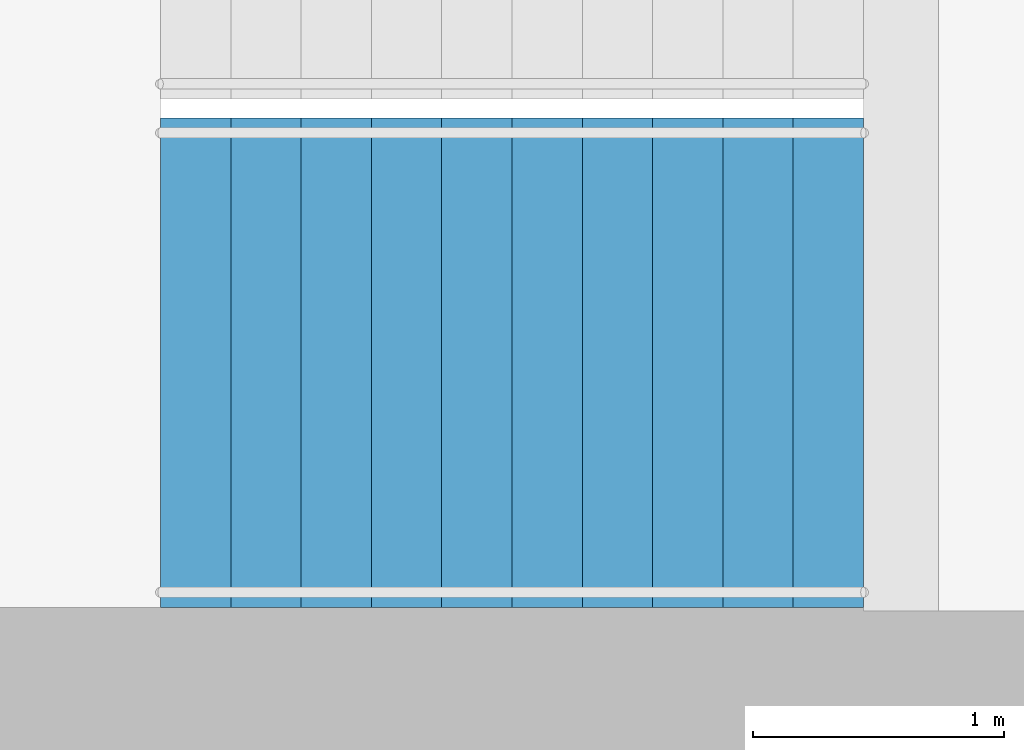
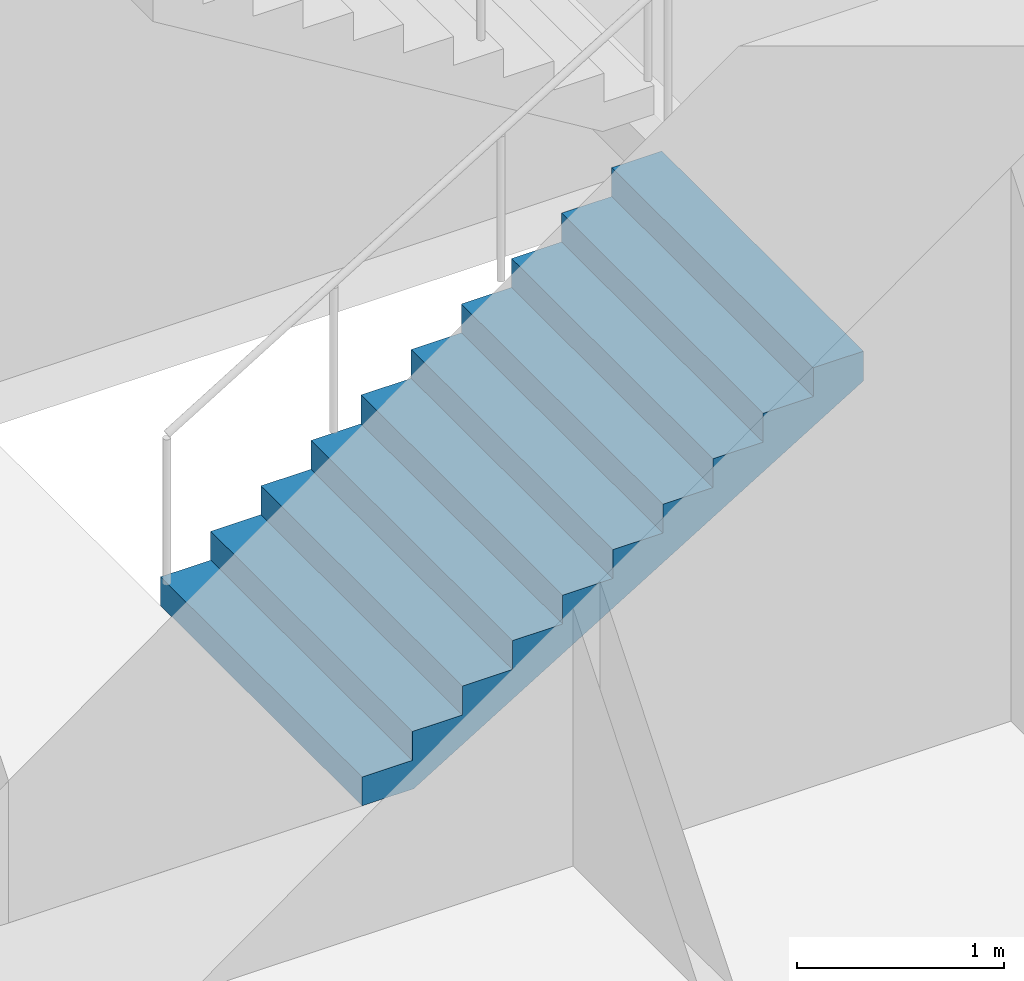
# One storey, part 18 of 22: 1 stair flight, 1 element without a shape of its own.
"""IFC4 building model written with IfcOpenShell, lengths in metres."""

import ifcopenshell
import ifcopenshell.guid

model = None  # the IFC model being written
_history = None  # IfcOwnerHistory: only IFC2X3 demands one
_inside = {}  # id of a spatial element -> (the spatial element, [elements in it])
_under = {}  # id of a project, library or spatial element -> (it, [spatial elements below it])
_declared = {}  # id of a project -> (the project, [libraries it declares])
_typed = {}  # id of a type object -> (the type object, [elements of that type])
_made_of = {}  # id of a material, layer set ... -> (it, [elements and type objects made of it])


def new_model(schema):
    """Start an empty IFC model of exactly this schema.

    Asked for "IFC4X3", IfcOpenShell would pick the latest addendum, in which some entities
    have other attributes; the version numbers below select the first issue.
    IFC2X3 requires an IfcOwnerHistory on every rooted entity: one is made here for all.
    """
    global model, _history
    if schema == "IFC4X3":
        model = ifcopenshell.file(schema_version=(4, 3, 0, 0))
    else:
        model = ifcopenshell.file(schema=schema)
    _inside.clear()
    _under.clear()
    _declared.clear()
    _typed.clear()
    _made_of.clear()
    _history = None
    if model.schema == "IFC2X3":
        org = make("IfcOrganization", Name="unknown")
        user = make(
            "IfcPersonAndOrganization",
            ThePerson=make("IfcPerson", FamilyName="unknown"),
            TheOrganization=org,
        )
        app = make(
            "IfcApplication",
            ApplicationDeveloper=org,
            Version="unknown",
            ApplicationFullName="unknown",
            ApplicationIdentifier="unknown",
        )
        _history = make(
            "IfcOwnerHistory",
            OwningUser=user,
            OwningApplication=app,
            ChangeAction="ADDED",
            CreationDate=0,
        )
    return model


def make(cls, **values):
    """One entity of the class cls with the attributes given. An attribute that is None is left unset."""
    return model.create_entity(
        cls, **{name: value for name, value in values.items() if value is not None}
    )


def rooted(cls, **values):
    """An entity with a GlobalId (a new one), such as an element, a storey or a relation."""
    return make(cls, GlobalId=ifcopenshell.guid.new(), OwnerHistory=_history, **values)


def si_unit(unit_type, name, prefix=None):
    """IfcSIUnit, for example si_unit("LENGTHUNIT", "METRE", prefix="MILLI")."""
    return make("IfcSIUnit", UnitType=unit_type, Prefix=prefix, Name=name)


def assignment(units):
    """IfcUnitAssignment: the units of a project."""
    return None if units is None else make("IfcUnitAssignment", Units=units)


def point(xyz):
    """IfcCartesianPoint."""
    return None if xyz is None else make("IfcCartesianPoint", Coordinates=xyz)


def direction(xyz):
    """IfcDirection."""
    return None if xyz is None else make("IfcDirection", DirectionRatios=xyz)


def frame(location, z_axis=None, x_axis=None):
    """IfcAxis2Placement3D, a coordinate frame: its origin and axes. An axis left out is left unset."""
    return make(
        "IfcAxis2Placement3D",
        Location=point(location),
        Axis=direction(z_axis),
        RefDirection=direction(x_axis),
    )


def origin():
    """The frame at (0, 0, 0) with its axes left unset."""
    return frame((0.0, 0.0, 0.0))


def place(relative_to, where):
    """IfcLocalPlacement: puts the frame where relative to a parent placement (None: the world)."""
    return make(
        "IfcLocalPlacement", PlacementRelTo=relative_to, RelativePlacement=where
    )


def context(
    kind, dimensions, precision=None, world=None, true_north=None, identifier=None
):
    """IfcGeometricRepresentationContext, for example the 3D "Model" context."""
    return make(
        "IfcGeometricRepresentationContext",
        ContextIdentifier=identifier,
        ContextType=kind,
        CoordinateSpaceDimension=dimensions,
        Precision=precision,
        WorldCoordinateSystem=world,
        TrueNorth=true_north,
    )


def subcontext(parent, identifier, kind, view, scale=None):
    """IfcGeometricRepresentationSubContext, for example "Body" below "Model"."""
    return make(
        "IfcGeometricRepresentationSubContext",
        ContextIdentifier=identifier,
        ContextType=kind,
        ParentContext=parent,
        TargetScale=scale,
        TargetView=view,
    )


def project(units=None, contexts=None):
    """IfcProject with its units and contexts."""
    return rooted(
        "IfcProject",
        Name="project",
        RepresentationContexts=contexts,
        UnitsInContext=assignment(units),
    )


def spatial(cls, under=None, at=None, **own):
    """A site, building, storey or space (cls), placed at a placement, below another one or the project."""
    s = rooted(cls, ObjectPlacement=at, **own)
    if under is not None:
        _under.setdefault(under.id(), (under, []))[1].append(s)
    return s


def point_list(points):
    """IfcCartesianPointList2D or 3D."""
    cls = (
        "IfcCartesianPointList2D" if len(points[0]) == 2 else "IfcCartesianPointList3D"
    )
    return make(cls, CoordList=points)


def triangles(points, corners, closed=None, point_numbers=None):
    """IfcTriangulatedFaceSet: each triangle names its three corners, points numbered from 1."""
    return make(
        "IfcTriangulatedFaceSet",
        Coordinates=point_list(points),
        Closed=closed,
        CoordIndex=corners,
        PnIndex=point_numbers,
    )


def shape(context_of_items, identifier, shape_type, items):
    """IfcShapeRepresentation: the items that make up one representation, for example the "Body"."""
    return make(
        "IfcShapeRepresentation",
        ContextOfItems=context_of_items,
        RepresentationIdentifier=identifier,
        RepresentationType=shape_type,
        Items=items,
    )


def material(Name=None, Category=None):
    """IfcMaterial."""
    return make("IfcMaterial", Name=Name, Category=Category)


def made_of(thing, what):
    """Note that an element or type object is made of a material, layer set ...; save() writes the relation."""
    if what is not None:
        _made_of.setdefault(what.id(), (what, []))[1].append(thing)
    return thing


def type_object(cls, material=None, **own):
    """A type object (cls), such as IfcWallType, which elements share."""
    return made_of(rooted(cls, **own), material)


def element(
    cls,
    number,
    at=None,
    inside=None,
    cuts=None,
    type_object=None,
    material=None,
    context=None,
    identifier="Body",
    shape_type=None,
    held_by="IfcProductDefinitionShape",
    body=None,
    shapes=None,
    **own,
):
    """One element of the class cls, such as IfcWall. Its Tag is "e" and its number.

    at: its placement. inside: the storey or other place that contains it. cuts: it is an
    opening in that element (IfcRelVoidsElement). A single representation is given by context,
    identifier, shape_type and body (its items); several are given by shapes. held_by: the class
    of the entity that holds the representations. save() writes the other relations.
    """
    e = rooted(cls, Tag="e%d" % number, ObjectPlacement=at, **own)
    if body is not None:
        shapes = [shape(context, identifier, shape_type, body)]
    if shapes is not None:
        e.Representation = make(held_by, Representations=shapes)
    if inside is not None:
        _inside.setdefault(inside.id(), (inside, []))[1].append(e)
    if cuts is not None:
        rooted(
            "IfcRelVoidsElement", RelatingBuildingElement=cuts, RelatedOpeningElement=e
        )
    if type_object is not None:
        _typed.setdefault(type_object.id(), (type_object, []))[1].append(e)
    return made_of(e, material)


def aggregate(whole, parts):
    """IfcRelAggregates: a whole, such as a stair, and the parts it consists of."""
    return rooted("IfcRelAggregates", RelatingObject=whole, RelatedObjects=parts)


def save(model, path):
    """Write the relations noted so far, then the file.

    IfcRelAggregates (storeys below a building ...), IfcRelContainedInSpatialStructure (elements
    in a storey), IfcRelDefinesByType, IfcRelAssociatesMaterial and IfcRelDeclares: one each for
    every whole, place, type object, material and project.
    """
    for whole, parts in _under.values():
        aggregate(whole, parts)
    for where, things in _inside.values():
        rooted(
            "IfcRelContainedInSpatialStructure",
            RelatedElements=things,
            RelatingStructure=where,
        )
    for kind, things in _typed.values():
        rooted("IfcRelDefinesByType", RelatedObjects=things, RelatingType=kind)
    for what, things in _made_of.values():
        rooted("IfcRelAssociatesMaterial", RelatedObjects=things, RelatingMaterial=what)
    for by, libraries in _declared.values():
        rooted("IfcRelDeclares", RelatingContext=by, RelatedDefinitions=libraries)
    model.write(path)


model = new_model("IFC4")

# Units and contexts
model_context = context("Model", 3, precision=1e-05, world=origin(), true_north=direction((0.0, 1.0)))
body_context = subcontext(model_context, "Body", "Model", "MODEL_VIEW")
ifc_project = project(units=[si_unit("LENGTHUNIT", "METRE"), si_unit("AREAUNIT", "SQUARE_METRE"), si_unit("VOLUMEUNIT", "CUBIC_METRE"), si_unit("PLANEANGLEUNIT", "RADIAN"), si_unit("MASSUNIT", "GRAM", prefix="KILO")], contexts=[model_context])

# Site, building, storey
site_placement = place(None, origin())
site = spatial("IfcSite", under=ifc_project, at=site_placement, CompositionType="ELEMENT")
building_placement = place(site_placement, origin())
building = spatial("IfcBuilding", under=site, at=building_placement, Name="Orbita Commons", CompositionType="ELEMENT")
storey_placement = place(building_placement, frame((0.0, 0.0, 118.14990234375)))
storey = spatial("IfcBuildingStorey", under=building, at=storey_placement, Name="L29", CompositionType="ELEMENT", Elevation=118.14990234375)

# Stair, stair flight
ifc_material_1 = material(Name="Precast concrete C40/50", Category="concrete")
stair_type = type_object("IfcStairType", Name="Exit stair S1 2 flights 11 risers 170", PredefinedType="HALF_TURN_STAIR", material=ifc_material_1)
stair_placement = place(storey_placement, origin())
stair = element("IfcStair", 1, at=stair_placement, inside=storey, type_object=stair_type, Name="Exit stair S1 L29", PredefinedType="HALF_TURN_STAIR")
ifc_material_2 = material(Name="Precast concrete C40/50", Category="concrete")
stair_flight_type = type_object("IfcStairFlightType", Name="Stair flight 11 risers 170 x 280", PredefinedType="STRAIGHT", material=ifc_material_2)
stair_flight_placement = place(storey_placement, frame((20.449951171875, 27.25, 0.0), z_axis=(0.0, 0.0, 1.0), x_axis=(1.0, 0.0, 0.0)))
stair_flight = element("IfcStairFlight", 2, at=stair_flight_placement, type_object=stair_flight_type, Name="S1 flight 1", NumberOfRisers=11, NumberOfTreads=10, PredefinedType="STRAIGHT", RiserHeight=0.170454545, TreadLength=0.28, context=body_context, shape_type="Tessellation", body=[
    triangles([(0.0, 0.974976, 0.0), (0.0, 0.974976, 0.021307), (0.0, 0.81248, 0.021307), (0.0, 0.81248, 0.0), (0.0, 0.649984, 0.021307), (0.0, 0.649984, 0.0), (0.0, 0.487488, 0.021307), (0.0, 0.487488, 0.0), (0.0, 0.324992, 0.021307), (0.0, 0.324992, 0.0), (0.0, 0.162496, 0.021307), (0.0, 0.162496, 0.0), (0.0, 0.0, 0.021307), (0.0, 0.0, 0.0), (0.0, -0.162496, 0.021307), (0.0, -0.162496, 0.0), (0.0, -0.324992, 0.021307), (0.0, -0.324992, 0.0), (0.0, -0.487488, 0.021307), (0.0, -0.487488, 0.0), (0.0, -0.649984, 0.021307), (0.0, -0.649984, 0.0), (0.0, -0.81248, 0.021307), (0.0, -0.81248, 0.0), (0.0, -0.974976, 0.021307), (0.0, -0.974976, 0.0), (0.0, 0.974976, 0.042614), (0.0, 0.81248, 0.042614), (0.0, 0.649984, 0.042614), (0.0, 0.487488, 0.042614), (0.0, 0.324992, 0.042614), (0.0, 0.162496, 0.042614), (0.0, 0.0, 0.042614), (0.0, -0.162496, 0.042614), (0.0, -0.324992, 0.042614), (0.0, -0.487488, 0.042614), (0.0, -0.649984, 0.042614), (0.0, -0.81248, 0.042614), (0.0, -0.974976, 0.042614), (0.0, 0.974976, 0.06392), (0.0, 0.81248, 0.06392), (0.0, 0.649984, 0.06392), (0.0, 0.487488, 0.06392), (0.0, 0.324992, 0.06392), (0.0, 0.162496, 0.06392), (0.0, 0.0, 0.06392), (0.0, -0.162496, 0.06392), (0.0, -0.324992, 0.06392), (0.0, -0.487488, 0.06392), (0.0, -0.649984, 0.06392), (0.0, -0.81248, 0.06392), (0.0, -0.974976, 0.06392), (0.0, 0.974976, 0.085227), (0.0, 0.81248, 0.085227), (0.0, 0.649984, 0.085227), (0.0, 0.487488, 0.085227), (0.0, 0.324992, 0.085227), (0.0, 0.162496, 0.085227), (0.0, 0.0, 0.085227), (0.0, -0.162496, 0.085227), (0.0, -0.324992, 0.085227), (0.0, -0.487488, 0.085227), (0.0, -0.649984, 0.085227), (0.0, -0.81248, 0.085227), (0.0, -0.974976, 0.085227), (0.0, 0.974976, 0.106534), (0.0, 0.81248, 0.106534), (0.0, 0.649984, 0.106534), (0.0, 0.487488, 0.106534), (0.0, 0.324992, 0.106534), (0.0, 0.162496, 0.106534), (0.0, 0.0, 0.106534), (0.0, -0.162496, 0.106534), (0.0, -0.324992, 0.106534), (0.0, -0.487488, 0.106534), (0.0, -0.649984, 0.106534), (0.0, -0.81248, 0.106534), (0.0, -0.974976, 0.106534), (0.0, 0.974976, 0.127841), (0.0, 0.81248, 0.127841), (0.0, 0.649984, 0.127841), (0.0, 0.487488, 0.127841), (0.0, 0.324992, 0.127841), (0.0, 0.162496, 0.127841), (0.0, 0.0, 0.127841), (0.0, -0.162496, 0.127841), (0.0, -0.324992, 0.127841), (0.0, -0.487488, 0.127841), (0.0, -0.649984, 0.127841), (0.0, -0.81248, 0.127841), (0.0, -0.974976, 0.127841), (0.0, 0.974976, 0.149148), (0.0, 0.81248, 0.149148), (0.0, 0.649984, 0.149148), (0.0, 0.487488, 0.149148), (0.0, 0.324992, 0.149148), (0.0, 0.162496, 0.149148), (0.0, 0.0, 0.149148), (0.0, -0.162496, 0.149148), (0.0, -0.324992, 0.149148), (0.0, -0.487488, 0.149148), (0.0, -0.649984, 0.149148), (0.0, -0.81248, 0.149148), (0.0, -0.974976, 0.149148), (0.0, 0.974976, 0.170455), (0.0, 0.81248, 0.170455), (0.0, 0.649984, 0.170455), (0.0, 0.487488, 0.170455), (0.0, 0.324992, 0.170455), (0.0, 0.162496, 0.170455), (0.0, 0.0, 0.170455), (0.0, -0.162496, 0.170455), (0.0, -0.324992, 0.170455), (0.0, -0.487488, 0.170455), (0.0, -0.649984, 0.170455), (0.0, -0.81248, 0.170455), (0.0, -0.974976, 0.170455), (0.28, 0.974976, 0.170455), (0.28, 0.81248, 0.170455), (0.28, 0.649984, 0.170455), (0.28, 0.487488, 0.170455), (0.28, 0.324992, 0.170455), (0.28, 0.162496, 0.170455), (0.28, 0.0, 0.170455), (0.28, -0.162496, 0.170455), (0.28, -0.324992, 0.170455), (0.28, -0.487488, 0.170455), (0.28, -0.649984, 0.170455), (0.28, -0.81248, 0.170455), (0.28, -0.974976, 0.170455), (0.28, 0.974976, 0.340909), (0.28, 0.81248, 0.340909), (0.28, 0.649984, 0.340909), (0.28, 0.487488, 0.340909), (0.28, 0.324992, 0.340909), (0.28, 0.162496, 0.340909), (0.28, 0.0, 0.340909), (0.28, -0.162496, 0.340909), (0.28, -0.324992, 0.340909), (0.28, -0.487488, 0.340909), (0.28, -0.649984, 0.340909), (0.28, -0.81248, 0.340909), (0.28, -0.974976, 0.340909), (0.56, 0.974976, 0.340909), (0.56, 0.81248, 0.340909), (0.56, 0.649984, 0.340909), (0.56, 0.487488, 0.340909), (0.56, 0.324992, 0.340909), (0.56, 0.162496, 0.340909), (0.56, 0.0, 0.340909), (0.56, -0.162496, 0.340909), (0.56, -0.324992, 0.340909), (0.56, -0.487488, 0.340909), (0.56, -0.649984, 0.340909), (0.56, -0.81248, 0.340909), (0.56, -0.974976, 0.340909), (0.56, 0.974976, 0.511364), (0.56, 0.81248, 0.511364), (0.56, 0.649984, 0.511364), (0.56, 0.487488, 0.511364), (0.56, 0.324992, 0.511364), (0.56, 0.162496, 0.511364), (0.56, 0.0, 0.511364), (0.56, -0.162496, 0.511364), (0.56, -0.324992, 0.511364), (0.56, -0.487488, 0.511364), (0.56, -0.649984, 0.511364), (0.56, -0.81248, 0.511364), (0.56, -0.974976, 0.511364), (0.84, 0.974976, 0.511364), (0.84, 0.81248, 0.511364), (0.84, 0.649984, 0.511364), (0.84, 0.487488, 0.511364), (0.84, 0.324992, 0.511364), (0.84, 0.162496, 0.511364), (0.84, 0.0, 0.511364), (0.84, -0.162496, 0.511364), (0.84, -0.324992, 0.511364), (0.84, -0.487488, 0.511364), (0.84, -0.649984, 0.511364), (0.84, -0.81248, 0.511364), (0.84, -0.974976, 0.511364), (0.84, 0.974976, 0.681818), (0.84, 0.81248, 0.681818), (0.84, 0.649984, 0.681818), (0.84, 0.487488, 0.681818), (0.84, 0.324992, 0.681818), (0.84, 0.162496, 0.681818), (0.84, 0.0, 0.681818), (0.84, -0.162496, 0.681818), (0.84, -0.324992, 0.681818), (0.84, -0.487488, 0.681818), (0.84, -0.649984, 0.681818), (0.84, -0.81248, 0.681818), (0.84, -0.974976, 0.681818), (1.12, 0.974976, 0.681818), (1.12, 0.81248, 0.681818), (1.12, 0.649984, 0.681818), (1.12, 0.487488, 0.681818), (1.12, 0.324992, 0.681818), (1.12, 0.162496, 0.681818), (1.12, 0.0, 0.681818), (1.12, -0.162496, 0.681818), (1.12, -0.324992, 0.681818), (1.12, -0.487488, 0.681818), (1.12, -0.649984, 0.681818), (1.12, -0.81248, 0.681818), (1.12, -0.974976, 0.681818), (1.12, 0.974976, 0.852273), (1.12, 0.81248, 0.852273), (1.12, 0.649984, 0.852273), (1.12, 0.487488, 0.852273), (1.12, 0.324992, 0.852273), (1.12, 0.162496, 0.852273), (1.12, 0.0, 0.852273), (1.12, -0.162496, 0.852273), (1.12, -0.324992, 0.852273), (1.12, -0.487488, 0.852273), (1.12, -0.649984, 0.852273), (1.12, -0.81248, 0.852273), (1.12, -0.974976, 0.852273), (1.4, 0.974976, 0.852273), (1.4, 0.81248, 0.852273), (1.4, 0.649984, 0.852273), (1.4, 0.487488, 0.852273), (1.4, 0.324992, 0.852273), (1.4, 0.162496, 0.852273), (1.4, 0.0, 0.852273), (1.4, -0.162496, 0.852273), (1.4, -0.324992, 0.852273), (1.4, -0.487488, 0.852273), (1.4, -0.649984, 0.852273), (1.4, -0.81248, 0.852273), (1.4, -0.974976, 0.852273), (1.4, 0.974976, 1.022727), (1.4, 0.81248, 1.022727), (1.4, 0.649984, 1.022727), (1.4, 0.487488, 1.022727), (1.4, 0.324992, 1.022727), (1.4, 0.162496, 1.022727), (1.4, 0.0, 1.022727), (1.4, -0.162496, 1.022727), (1.4, -0.324992, 1.022727), (1.4, -0.487488, 1.022727), (1.4, -0.649984, 1.022727), (1.4, -0.81248, 1.022727), (1.4, -0.974976, 1.022727), (1.68, 0.974976, 1.022727), (1.68, 0.81248, 1.022727), (1.68, 0.649984, 1.022727), (1.68, 0.487488, 1.022727), (1.68, 0.324992, 1.022727), (1.68, 0.162496, 1.022727), (1.68, 0.0, 1.022727), (1.68, -0.162496, 1.022727), (1.68, -0.324992, 1.022727), (1.68, -0.487488, 1.022727), (1.68, -0.649984, 1.022727), (1.68, -0.81248, 1.022727), (1.68, -0.974976, 1.022727), (1.68, 0.974976, 1.193182), (1.68, 0.81248, 1.193182), (1.68, 0.649984, 1.193182), (1.68, 0.487488, 1.193182), (1.68, 0.324992, 1.193182), (1.68, 0.162496, 1.193182), (1.68, 0.0, 1.193182), (1.68, -0.162496, 1.193182), (1.68, -0.324992, 1.193182), (1.68, -0.487488, 1.193182), (1.68, -0.649984, 1.193182), (1.68, -0.81248, 1.193182), (1.68, -0.974976, 1.193182), (1.96, 0.974976, 1.193182), (1.96, 0.81248, 1.193182), (1.96, 0.649984, 1.193182), (1.96, 0.487488, 1.193182), (1.96, 0.324992, 1.193182), (1.96, 0.162496, 1.193182), (1.96, 0.0, 1.193182), (1.96, -0.162496, 1.193182), (1.96, -0.324992, 1.193182), (1.96, -0.487488, 1.193182), (1.96, -0.649984, 1.193182), (1.96, -0.81248, 1.193182), (1.96, -0.974976, 1.193182), (1.96, 0.974976, 1.363636), (1.96, 0.81248, 1.363636), (1.96, 0.649984, 1.363636), (1.96, 0.487488, 1.363636), (1.96, 0.324992, 1.363636), (1.96, 0.162496, 1.363636), (1.96, 0.0, 1.363636), (1.96, -0.162496, 1.363636), (1.96, -0.324992, 1.363636), (1.96, -0.487488, 1.363636), (1.96, -0.649984, 1.363636), (1.96, -0.81248, 1.363636), (1.96, -0.974976, 1.363636), (2.24, 0.974976, 1.363636), (2.24, 0.81248, 1.363636), (2.24, 0.649984, 1.363636), (2.24, 0.487488, 1.363636), (2.24, 0.324992, 1.363636), (2.24, 0.162496, 1.363636), (2.24, 0.0, 1.363636), (2.24, -0.162496, 1.363636), (2.24, -0.324992, 1.363636), (2.24, -0.487488, 1.363636), (2.24, -0.649984, 1.363636), (2.24, -0.81248, 1.363636), (2.24, -0.974976, 1.363636), (2.24, 0.974976, 1.534091), (2.24, 0.81248, 1.534091), (2.24, 0.649984, 1.534091), (2.24, 0.487488, 1.534091), (2.24, 0.324992, 1.534091), (2.24, 0.162496, 1.534091), (2.24, 0.0, 1.534091), (2.24, -0.162496, 1.534091), (2.24, -0.324992, 1.534091), (2.24, -0.487488, 1.534091), (2.24, -0.649984, 1.534091), (2.24, -0.81248, 1.534091), (2.24, -0.974976, 1.534091), (2.52, 0.974976, 1.534091), (2.52, 0.81248, 1.534091), (2.52, 0.649984, 1.534091), (2.52, 0.487488, 1.534091), (2.52, 0.324992, 1.534091), (2.52, 0.162496, 1.534091), (2.52, 0.0, 1.534091), (2.52, -0.162496, 1.534091), (2.52, -0.324992, 1.534091), (2.52, -0.487488, 1.534091), (2.52, -0.649984, 1.534091), (2.52, -0.81248, 1.534091), (2.52, -0.974976, 1.534091), (2.52, 0.974976, 1.704545), (2.52, 0.81248, 1.704545), (2.52, 0.649984, 1.704545), (2.52, 0.487488, 1.704545), (2.52, 0.324992, 1.704545), (2.52, 0.162496, 1.704545), (2.52, 0.0, 1.704545), (2.52, -0.162496, 1.704545), (2.52, -0.324992, 1.704545), (2.52, -0.487488, 1.704545), (2.52, -0.649984, 1.704545), (2.52, -0.81248, 1.704545), (2.52, -0.974976, 1.704545), (2.8, 0.974976, 1.704545), (2.8, 0.81248, 1.704545), (2.8, 0.649984, 1.704545), (2.8, 0.487488, 1.704545), (2.8, 0.324992, 1.704545), (2.8, 0.162496, 1.704545), (2.8, 0.0, 1.704545), (2.8, -0.162496, 1.704545), (2.8, -0.324992, 1.704545), (2.8, -0.487488, 1.704545), (2.8, -0.649984, 1.704545), (2.8, -0.81248, 1.704545), (2.8, -0.974976, 1.704545), (2.8, 0.974976, 1.682609), (2.8, 0.81248, 1.682609), (2.8, 0.649984, 1.682609), (2.8, 0.487488, 1.682609), (2.8, 0.324992, 1.682609), (2.8, 0.162496, 1.682609), (2.8, 0.0, 1.682609), (2.8, -0.162496, 1.682609), (2.8, -0.324992, 1.682609), (2.8, -0.487488, 1.682609), (2.8, -0.649984, 1.682609), (2.8, -0.81248, 1.682609), (2.8, -0.974976, 1.682609), (2.8, 0.974976, 1.660672), (2.8, 0.81248, 1.660672), (2.8, 0.649984, 1.660672), (2.8, 0.487488, 1.660672), (2.8, 0.324992, 1.660672), (2.8, 0.162496, 1.660672), (2.8, 0.0, 1.660672), (2.8, -0.162496, 1.660672), (2.8, -0.324992, 1.660672), (2.8, -0.487488, 1.660672), (2.8, -0.649984, 1.660672), (2.8, -0.81248, 1.660672), (2.8, -0.974976, 1.660672), (2.8, 0.974976, 1.638735), (2.8, 0.81248, 1.638735), (2.8, 0.649984, 1.638735), (2.8, 0.487488, 1.638735), (2.8, 0.324992, 1.638735), (2.8, 0.162496, 1.638735), (2.8, 0.0, 1.638735), (2.8, -0.162496, 1.638735), (2.8, -0.324992, 1.638735), (2.8, -0.487488, 1.638735), (2.8, -0.649984, 1.638735), (2.8, -0.81248, 1.638735), (2.8, -0.974976, 1.638735), (2.8, 0.974976, 1.616798), (2.8, 0.81248, 1.616798), (2.8, 0.649984, 1.616798), (2.8, 0.487488, 1.616798), (2.8, 0.324992, 1.616798), (2.8, 0.162496, 1.616798), (2.8, 0.0, 1.616798), (2.8, -0.162496, 1.616798), (2.8, -0.324992, 1.616798), (2.8, -0.487488, 1.616798), (2.8, -0.649984, 1.616798), (2.8, -0.81248, 1.616798), (2.8, -0.974976, 1.616798), (2.8, 0.974976, 1.594861), (2.8, 0.81248, 1.594861), (2.8, 0.649984, 1.594861), (2.8, 0.487488, 1.594861), (2.8, 0.324992, 1.594861), (2.8, 0.162496, 1.594861), (2.8, 0.0, 1.594861), (2.8, -0.162496, 1.594861), (2.8, -0.324992, 1.594861), (2.8, -0.487488, 1.594861), (2.8, -0.649984, 1.594861), (2.8, -0.81248, 1.594861), (2.8, -0.974976, 1.594861), (2.8, 0.974976, 1.572925), (2.8, 0.81248, 1.572925), (2.8, 0.649984, 1.572925), (2.8, 0.487488, 1.572925), (2.8, 0.324992, 1.572925), (2.8, 0.162496, 1.572925), (2.8, 0.0, 1.572925), (2.8, -0.162496, 1.572925), (2.8, -0.324992, 1.572925), (2.8, -0.487488, 1.572925), (2.8, -0.649984, 1.572925), (2.8, -0.81248, 1.572925), (2.8, -0.974976, 1.572925), (2.8, 0.974976, 1.550988), (2.8, 0.81248, 1.550988), (2.8, 0.649984, 1.550988), (2.8, 0.487488, 1.550988), (2.8, 0.324992, 1.550988), (2.8, 0.162496, 1.550988), (2.8, 0.0, 1.550988), (2.8, -0.162496, 1.550988), (2.8, -0.324992, 1.550988), (2.8, -0.487488, 1.550988), (2.8, -0.649984, 1.550988), (2.8, -0.81248, 1.550988), (2.8, -0.974976, 1.550988), (2.8, 0.974976, 1.529051), (2.8, 0.81248, 1.529051), (2.8, 0.649984, 1.529051), (2.8, 0.487488, 1.529051), (2.8, 0.324992, 1.529051), (2.8, 0.162496, 1.529051), (2.8, 0.0, 1.529051), (2.8, -0.162496, 1.529051), (2.8, -0.324992, 1.529051), (2.8, -0.487488, 1.529051), (2.8, -0.649984, 1.529051), (2.8, -0.81248, 1.529051), (2.8, -0.974976, 1.529051), (0.288279, 0.974976, 0.0), (0.288279, 0.81248, 0.0), (0.288279, 0.649984, 0.0), (0.288279, 0.487488, 0.0), (0.288279, 0.324992, 0.0), (0.288279, 0.162496, 0.0), (0.288279, 0.0, 0.0), (0.288279, -0.162496, 0.0), (0.288279, -0.324992, 0.0), (0.288279, -0.487488, 0.0), (0.288279, -0.649984, 0.0), (0.288279, -0.81248, 0.0), (0.288279, -0.974976, 0.0)], [[3, 2, 1], [4, 3, 1], [5, 3, 4], [6, 5, 4], [7, 5, 6], [8, 7, 6], [9, 7, 8], [10, 9, 8], [11, 9, 10], [12, 11, 10], [13, 11, 12], [14, 13, 12], [15, 13, 14], [16, 15, 14], [17, 15, 16], [18, 17, 16], [19, 17, 18], [20, 19, 18], [21, 19, 20], [22, 21, 20], [23, 21, 22], [24, 23, 22], [25, 23, 24], [26, 25, 24], [28, 27, 2], [3, 28, 2], [29, 28, 3], [5, 29, 3], [30, 29, 5], [7, 30, 5], [31, 30, 7], [9, 31, 7], [32, 31, 9], [11, 32, 9], [33, 32, 11], [13, 33, 11], [34, 33, 13], [15, 34, 13], [35, 34, 15], [17, 35, 15], [36, 35, 17], [19, 36, 17], [37, 36, 19], [21, 37, 19], [38, 37, 21], [23, 38, 21], [39, 38, 23], [25, 39, 23], [41, 40, 27], [28, 41, 27], [42, 41, 28], [29, 42, 28], [43, 42, 29], [30, 43, 29], [44, 43, 30], [31, 44, 30], [45, 44, 31], [32, 45, 31], [46, 45, 32], [33, 46, 32], [47, 46, 33], [34, 47, 33], [48, 47, 34], [35, 48, 34], [49, 48, 35], [36, 49, 35], [50, 49, 36], [37, 50, 36], [51, 50, 37], [38, 51, 37], [52, 51, 38], [39, 52, 38], [54, 53, 40], [41, 54, 40], [55, 54, 41], [42, 55, 41], [56, 55, 42], [43, 56, 42], [57, 56, 43], [44, 57, 43], [58, 57, 44], [45, 58, 44], [59, 58, 45], [46, 59, 45], [60, 59, 46], [47, 60, 46], [61, 60, 47], [48, 61, 47], [62, 61, 48], [49, 62, 48], [63, 62, 49], [50, 63, 49], [64, 63, 50], [51, 64, 50], [65, 64, 51], [52, 65, 51], [67, 66, 53], [54, 67, 53], [68, 67, 54], [55, 68, 54], [69, 68, 55], [56, 69, 55], [70, 69, 56], [57, 70, 56], [71, 70, 57], [58, 71, 57], [72, 71, 58], [59, 72, 58], [73, 72, 59], [60, 73, 59], [74, 73, 60], [61, 74, 60], [75, 74, 61], [62, 75, 61], [76, 75, 62], [63, 76, 62], [77, 76, 63], [64, 77, 63], [78, 77, 64], [65, 78, 64], [80, 79, 66], [67, 80, 66], [81, 80, 67], [68, 81, 67], [82, 81, 68], [69, 82, 68], [83, 82, 69], [70, 83, 69], [84, 83, 70], [71, 84, 70], [85, 84, 71], [72, 85, 71], [86, 85, 72], [73, 86, 72], [87, 86, 73], [74, 87, 73], [88, 87, 74], [75, 88, 74], [89, 88, 75], [76, 89, 75], [90, 89, 76], [77, 90, 76], [91, 90, 77], [78, 91, 77], [93, 92, 79], [80, 93, 79], [94, 93, 80], [81, 94, 80], [95, 94, 81], [82, 95, 81], [96, 95, 82], [83, 96, 82], [97, 96, 83], [84, 97, 83], [98, 97, 84], [85, 98, 84], [99, 98, 85], [86, 99, 85], [100, 99, 86], [87, 100, 86], [101, 100, 87], [88, 101, 87], [102, 101, 88], [89, 102, 88], [103, 102, 89], [90, 103, 89], [104, 103, 90], [91, 104, 90], [106, 105, 92], [93, 106, 92], [107, 106, 93], [94, 107, 93], [108, 107, 94], [95, 108, 94], [109, 108, 95], [96, 109, 95], [110, 109, 96], [97, 110, 96], [111, 110, 97], [98, 111, 97], [112, 111, 98], [99, 112, 98], [113, 112, 99], [100, 113, 99], [114, 113, 100], [101, 114, 100], [115, 114, 101], [102, 115, 101], [116, 115, 102], [103, 116, 102], [117, 116, 103], [104, 117, 103], [119, 118, 105], [106, 119, 105], [120, 119, 106], [107, 120, 106], [121, 120, 107], [108, 121, 107], [122, 121, 108], [109, 122, 108], [123, 122, 109], [110, 123, 109], [124, 123, 110], [111, 124, 110], [125, 124, 111], [112, 125, 111], [126, 125, 112], [113, 126, 112], [127, 126, 113], [114, 127, 113], [128, 127, 114], [115, 128, 114], [129, 128, 115], [116, 129, 115], [130, 129, 116], [117, 130, 116], [132, 131, 118], [119, 132, 118], [133, 132, 119], [120, 133, 119], [134, 133, 120], [121, 134, 120], [135, 134, 121], [122, 135, 121], [136, 135, 122], [123, 136, 122], [137, 136, 123], [124, 137, 123], [138, 137, 124], [125, 138, 124], [139, 138, 125], [126, 139, 125], [140, 139, 126], [127, 140, 126], [141, 140, 127], [128, 141, 127], [142, 141, 128], [129, 142, 128], [143, 142, 129], [130, 143, 129], [145, 144, 131], [132, 145, 131], [146, 145, 132], [133, 146, 132], [147, 146, 133], [134, 147, 133], [148, 147, 134], [135, 148, 134], [149, 148, 135], [136, 149, 135], [150, 149, 136], [137, 150, 136], [151, 150, 137], [138, 151, 137], [152, 151, 138], [139, 152, 138], [153, 152, 139], [140, 153, 139], [154, 153, 140], [141, 154, 140], [155, 154, 141], [142, 155, 141], [156, 155, 142], [143, 156, 142], [158, 157, 144], [145, 158, 144], [159, 158, 145], [146, 159, 145], [160, 159, 146], [147, 160, 146], [161, 160, 147], [148, 161, 147], [162, 161, 148], [149, 162, 148], [163, 162, 149], [150, 163, 149], [164, 163, 150], [151, 164, 150], [165, 164, 151], [152, 165, 151], [166, 165, 152], [153, 166, 152], [167, 166, 153], [154, 167, 153], [168, 167, 154], [155, 168, 154], [169, 168, 155], [156, 169, 155], [171, 170, 157], [158, 171, 157], [172, 171, 158], [159, 172, 158], [173, 172, 159], [160, 173, 159], [174, 173, 160], [161, 174, 160], [175, 174, 161], [162, 175, 161], [176, 175, 162], [163, 176, 162], [177, 176, 163], [164, 177, 163], [178, 177, 164], [165, 178, 164], [179, 178, 165], [166, 179, 165], [180, 179, 166], [167, 180, 166], [181, 180, 167], [168, 181, 167], [182, 181, 168], [169, 182, 168], [184, 183, 170], [171, 184, 170], [185, 184, 171], [172, 185, 171], [186, 185, 172], [173, 186, 172], [187, 186, 173], [174, 187, 173], [188, 187, 174], [175, 188, 174], [189, 188, 175], [176, 189, 175], [190, 189, 176], [177, 190, 176], [191, 190, 177], [178, 191, 177], [192, 191, 178], [179, 192, 178], [193, 192, 179], [180, 193, 179], [194, 193, 180], [181, 194, 180], [195, 194, 181], [182, 195, 181], [197, 196, 183], [184, 197, 183], [198, 197, 184], [185, 198, 184], [199, 198, 185], [186, 199, 185], [200, 199, 186], [187, 200, 186], [201, 200, 187], [188, 201, 187], [202, 201, 188], [189, 202, 188], [203, 202, 189], [190, 203, 189], [204, 203, 190], [191, 204, 190], [205, 204, 191], [192, 205, 191], [206, 205, 192], [193, 206, 192], [207, 206, 193], [194, 207, 193], [208, 207, 194], [195, 208, 194], [210, 209, 196], [197, 210, 196], [211, 210, 197], [198, 211, 197], [212, 211, 198], [199, 212, 198], [213, 212, 199], [200, 213, 199], [214, 213, 200], [201, 214, 200], [215, 214, 201], [202, 215, 201], [216, 215, 202], [203, 216, 202], [217, 216, 203], [204, 217, 203], [218, 217, 204], [205, 218, 204], [219, 218, 205], [206, 219, 205], [220, 219, 206], [207, 220, 206], [221, 220, 207], [208, 221, 207], [223, 222, 209], [210, 223, 209], [224, 223, 210], [211, 224, 210], [225, 224, 211], [212, 225, 211], [226, 225, 212], [213, 226, 212], [227, 226, 213], [214, 227, 213], [228, 227, 214], [215, 228, 214], [229, 228, 215], [216, 229, 215], [230, 229, 216], [217, 230, 216], [231, 230, 217], [218, 231, 217], [232, 231, 218], [219, 232, 218], [233, 232, 219], [220, 233, 219], [234, 233, 220], [221, 234, 220], [236, 235, 222], [223, 236, 222], [237, 236, 223], [224, 237, 223], [238, 237, 224], [225, 238, 224], [239, 238, 225], [226, 239, 225], [240, 239, 226], [227, 240, 226], [241, 240, 227], [228, 241, 227], [242, 241, 228], [229, 242, 228], [243, 242, 229], [230, 243, 229], [244, 243, 230], [231, 244, 230], [245, 244, 231], [232, 245, 231], [246, 245, 232], [233, 246, 232], [247, 246, 233], [234, 247, 233], [249, 248, 235], [236, 249, 235], [250, 249, 236], [237, 250, 236], [251, 250, 237], [238, 251, 237], [252, 251, 238], [239, 252, 238], [253, 252, 239], [240, 253, 239], [254, 253, 240], [241, 254, 240], [255, 254, 241], [242, 255, 241], [256, 255, 242], [243, 256, 242], [257, 256, 243], [244, 257, 243], [258, 257, 244], [245, 258, 244], [259, 258, 245], [246, 259, 245], [260, 259, 246], [247, 260, 246], [262, 261, 248], [249, 262, 248], [263, 262, 249], [250, 263, 249], [264, 263, 250], [251, 264, 250], [265, 264, 251], [252, 265, 251], [266, 265, 252], [253, 266, 252], [267, 266, 253], [254, 267, 253], [268, 267, 254], [255, 268, 254], [269, 268, 255], [256, 269, 255], [270, 269, 256], [257, 270, 256], [271, 270, 257], [258, 271, 257], [272, 271, 258], [259, 272, 258], [273, 272, 259], [260, 273, 259], [275, 274, 261], [262, 275, 261], [276, 275, 262], [263, 276, 262], [277, 276, 263], [264, 277, 263], [278, 277, 264], [265, 278, 264], [279, 278, 265], [266, 279, 265], [280, 279, 266], [267, 280, 266], [281, 280, 267], [268, 281, 267], [282, 281, 268], [269, 282, 268], [283, 282, 269], [270, 283, 269], [284, 283, 270], [271, 284, 270], [285, 284, 271], [272, 285, 271], [286, 285, 272], [273, 286, 272], [288, 287, 274], [275, 288, 274], [289, 288, 275], [276, 289, 275], [290, 289, 276], [277, 290, 276], [291, 290, 277], [278, 291, 277], [292, 291, 278], [279, 292, 278], [293, 292, 279], [280, 293, 279], [294, 293, 280], [281, 294, 280], [295, 294, 281], [282, 295, 281], [296, 295, 282], [283, 296, 282], [297, 296, 283], [284, 297, 283], [298, 297, 284], [285, 298, 284], [299, 298, 285], [286, 299, 285], [301, 300, 287], [288, 301, 287], [302, 301, 288], [289, 302, 288], [303, 302, 289], [290, 303, 289], [304, 303, 290], [291, 304, 290], [305, 304, 291], [292, 305, 291], [306, 305, 292], [293, 306, 292], [307, 306, 293], [294, 307, 293], [308, 307, 294], [295, 308, 294], [309, 308, 295], [296, 309, 295], [310, 309, 296], [297, 310, 296], [311, 310, 297], [298, 311, 297], [312, 311, 298], [299, 312, 298], [314, 313, 300], [301, 314, 300], [315, 314, 301], [302, 315, 301], [316, 315, 302], [303, 316, 302], [317, 316, 303], [304, 317, 303], [318, 317, 304], [305, 318, 304], [319, 318, 305], [306, 319, 305], [320, 319, 306], [307, 320, 306], [321, 320, 307], [308, 321, 307], [322, 321, 308], [309, 322, 308], [323, 322, 309], [310, 323, 309], [324, 323, 310], [311, 324, 310], [325, 324, 311], [312, 325, 311], [327, 326, 313], [314, 327, 313], [328, 327, 314], [315, 328, 314], [329, 328, 315], [316, 329, 315], [330, 329, 316], [317, 330, 316], [331, 330, 317], [318, 331, 317], [332, 331, 318], [319, 332, 318], [333, 332, 319], [320, 333, 319], [334, 333, 320], [321, 334, 320], [335, 334, 321], [322, 335, 321], [336, 335, 322], [323, 336, 322], [337, 336, 323], [324, 337, 323], [338, 337, 324], [325, 338, 324], [340, 339, 326], [327, 340, 326], [341, 340, 327], [328, 341, 327], [342, 341, 328], [329, 342, 328], [343, 342, 329], [330, 343, 329], [344, 343, 330], [331, 344, 330], [345, 344, 331], [332, 345, 331], [346, 345, 332], [333, 346, 332], [347, 346, 333], [334, 347, 333], [348, 347, 334], [335, 348, 334], [349, 348, 335], [336, 349, 335], [350, 349, 336], [337, 350, 336], [351, 350, 337], [338, 351, 337], [353, 352, 339], [340, 353, 339], [354, 353, 340], [341, 354, 340], [355, 354, 341], [342, 355, 341], [356, 355, 342], [343, 356, 342], [357, 356, 343], [344, 357, 343], [358, 357, 344], [345, 358, 344], [359, 358, 345], [346, 359, 345], [360, 359, 346], [347, 360, 346], [361, 360, 347], [348, 361, 347], [362, 361, 348], [349, 362, 348], [363, 362, 349], [350, 363, 349], [364, 363, 350], [351, 364, 350], [366, 365, 352], [353, 366, 352], [367, 366, 353], [354, 367, 353], [368, 367, 354], [355, 368, 354], [369, 368, 355], [356, 369, 355], [370, 369, 356], [357, 370, 356], [371, 370, 357], [358, 371, 357], [372, 371, 358], [359, 372, 358], [373, 372, 359], [360, 373, 359], [374, 373, 360], [361, 374, 360], [375, 374, 361], [362, 375, 361], [376, 375, 362], [363, 376, 362], [377, 376, 363], [364, 377, 363], [379, 378, 365], [366, 379, 365], [380, 379, 366], [367, 380, 366], [381, 380, 367], [368, 381, 367], [382, 381, 368], [369, 382, 368], [383, 382, 369], [370, 383, 369], [384, 383, 370], [371, 384, 370], [385, 384, 371], [372, 385, 371], [386, 385, 372], [373, 386, 372], [387, 386, 373], [374, 387, 373], [388, 387, 374], [375, 388, 374], [389, 388, 375], [376, 389, 375], [390, 389, 376], [377, 390, 376], [392, 391, 378], [379, 392, 378], [393, 392, 379], [380, 393, 379], [394, 393, 380], [381, 394, 380], [395, 394, 381], [382, 395, 381], [396, 395, 382], [383, 396, 382], [397, 396, 383], [384, 397, 383], [398, 397, 384], [385, 398, 384], [399, 398, 385], [386, 399, 385], [400, 399, 386], [387, 400, 386], [401, 400, 387], [388, 401, 387], [402, 401, 388], [389, 402, 388], [403, 402, 389], [390, 403, 389], [405, 404, 391], [392, 405, 391], [406, 405, 392], [393, 406, 392], [407, 406, 393], [394, 407, 393], [408, 407, 394], [395, 408, 394], [409, 408, 395], [396, 409, 395], [410, 409, 396], [397, 410, 396], [411, 410, 397], [398, 411, 397], [412, 411, 398], [399, 412, 398], [413, 412, 399], [400, 413, 399], [414, 413, 400], [401, 414, 400], [415, 414, 401], [402, 415, 401], [416, 415, 402], [403, 416, 402], [418, 417, 404], [405, 418, 404], [419, 418, 405], [406, 419, 405], [420, 419, 406], [407, 420, 406], [421, 420, 407], [408, 421, 407], [422, 421, 408], [409, 422, 408], [423, 422, 409], [410, 423, 409], [424, 423, 410], [411, 424, 410], [425, 424, 411], [412, 425, 411], [426, 425, 412], [413, 426, 412], [427, 426, 413], [414, 427, 413], [428, 427, 414], [415, 428, 414], [429, 428, 415], [416, 429, 415], [431, 430, 417], [418, 431, 417], [432, 431, 418], [419, 432, 418], [433, 432, 419], [420, 433, 419], [434, 433, 420], [421, 434, 420], [435, 434, 421], [422, 435, 421], [436, 435, 422], [423, 436, 422], [437, 436, 423], [424, 437, 423], [438, 437, 424], [425, 438, 424], [439, 438, 425], [426, 439, 425], [440, 439, 426], [427, 440, 426], [441, 440, 427], [428, 441, 427], [442, 441, 428], [429, 442, 428], [444, 443, 430], [431, 444, 430], [445, 444, 431], [432, 445, 431], [446, 445, 432], [433, 446, 432], [447, 446, 433], [434, 447, 433], [448, 447, 434], [435, 448, 434], [449, 448, 435], [436, 449, 435], [450, 449, 436], [437, 450, 436], [451, 450, 437], [438, 451, 437], [452, 451, 438], [439, 452, 438], [453, 452, 439], [440, 453, 439], [454, 453, 440], [441, 454, 440], [455, 454, 441], [442, 455, 441], [457, 456, 443], [444, 457, 443], [458, 457, 444], [445, 458, 444], [459, 458, 445], [446, 459, 445], [460, 459, 446], [447, 460, 446], [461, 460, 447], [448, 461, 447], [462, 461, 448], [449, 462, 448], [463, 462, 449], [450, 463, 449], [464, 463, 450], [451, 464, 450], [465, 464, 451], [452, 465, 451], [466, 465, 452], [453, 466, 452], [467, 466, 453], [454, 467, 453], [468, 467, 454], [455, 468, 454], [470, 469, 456], [457, 470, 456], [471, 470, 457], [458, 471, 457], [472, 471, 458], [459, 472, 458], [473, 472, 459], [460, 473, 459], [474, 473, 460], [461, 474, 460], [475, 474, 461], [462, 475, 461], [476, 475, 462], [463, 476, 462], [477, 476, 463], [464, 477, 463], [478, 477, 464], [465, 478, 464], [479, 478, 465], [466, 479, 465], [480, 479, 466], [467, 480, 466], [481, 480, 467], [468, 481, 467], [4, 1, 469], [470, 4, 469], [6, 4, 470], [471, 6, 470], [8, 6, 471], [472, 8, 471], [10, 8, 472], [473, 10, 472], [12, 10, 473], [474, 12, 473], [14, 12, 474], [475, 14, 474], [16, 14, 475], [476, 16, 475], [18, 16, 476], [477, 18, 476], [20, 18, 477], [478, 20, 477], [22, 20, 478], [479, 22, 478], [24, 22, 479], [480, 24, 479], [26, 24, 480], [481, 26, 480], [456, 469, 1], [26, 481, 468], [443, 456, 1], [26, 468, 455], [430, 443, 1], [26, 455, 442], [417, 430, 1], [26, 442, 429], [404, 417, 1], [26, 429, 416], [391, 404, 1], [26, 416, 403], [378, 391, 1], [26, 403, 390], [365, 378, 1], [26, 390, 377], [339, 352, 365], [377, 364, 351], [326, 339, 365], [377, 351, 338], [300, 313, 326], [338, 325, 312], [300, 326, 365], [377, 338, 312], [274, 287, 300], [312, 299, 286], [274, 300, 365], [377, 312, 286], [248, 261, 274], [286, 273, 260], [248, 274, 365], [377, 286, 260], [222, 235, 248], [260, 247, 234], [222, 248, 365], [377, 260, 234], [196, 209, 222], [234, 221, 208], [196, 222, 365], [377, 234, 208], [170, 183, 196], [208, 195, 182], [170, 196, 365], [377, 208, 182], [144, 157, 170], [182, 169, 156], [144, 170, 365], [377, 182, 156], [118, 131, 144], [156, 143, 130], [118, 144, 365], [377, 156, 130], [118, 365, 1], [26, 377, 130], [92, 105, 118], [130, 117, 104], [79, 92, 118], [130, 104, 91], [66, 79, 118], [130, 91, 78], [53, 66, 118], [130, 78, 65], [40, 53, 118], [130, 65, 52], [27, 40, 118], [130, 52, 39], [2, 27, 118], [130, 39, 25], [1, 2, 118], [130, 25, 26]], closed=True),
])
aggregate(stair, [stair_flight])

save(model, "model.ifc")
